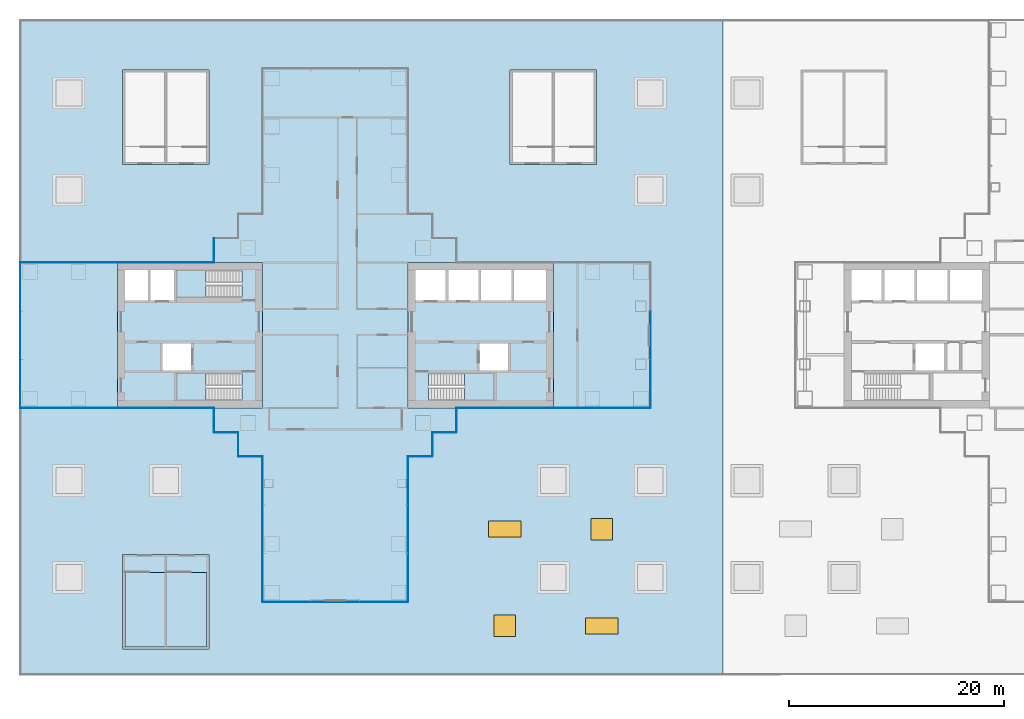
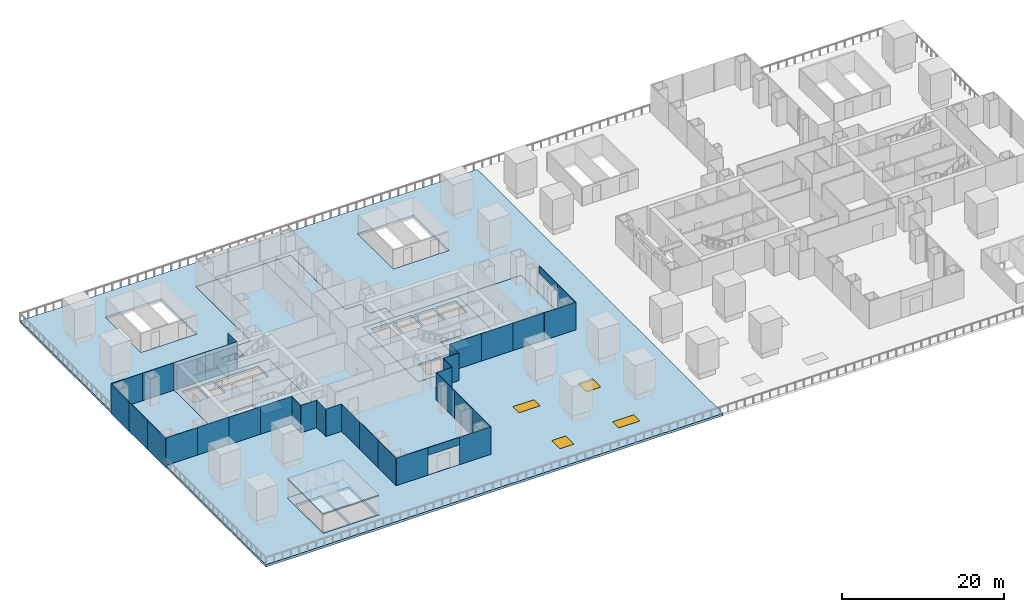
# One storey, part 11 of 23: 35 plates, 11 slabs, 4 windows, 4 openings, 17 elements without a shape of their own.
"""IFC4 building model written with IfcOpenShell, lengths in metres."""

from ifc_helpers import new_model, si_unit, direction, frame, origin, origin_2d, place, context, subcontext, project, spatial, polyline, rectangle, outline, extrude, material, layer, layer_set, type_object, element, fill, aggregate, save


model = new_model("IFC4")

# Units and contexts
model_context = context("Model", 3, precision=1e-05, world=origin(), true_north=direction((0.0, 1.0)))
body_context = subcontext(model_context, "Body", "Model", "MODEL_VIEW")
ifc_project = project(units=[si_unit("LENGTHUNIT", "METRE"), si_unit("AREAUNIT", "SQUARE_METRE"), si_unit("VOLUMEUNIT", "CUBIC_METRE"), si_unit("PLANEANGLEUNIT", "RADIAN"), si_unit("MASSUNIT", "GRAM", prefix="KILO")], contexts=[model_context])

# Site, building, storey
site_placement = place(None, origin())
site = spatial("IfcSite", under=ifc_project, at=site_placement, CompositionType="ELEMENT")
building_placement = place(site_placement, origin())
building = spatial("IfcBuilding", under=site, at=building_placement, Name="Shamsa Quay Exchange Towers", CompositionType="ELEMENT")
storey_placement = place(building_placement, frame((0.0, 0.0, 28.5)))
storey = spatial("IfcBuildingStorey", under=building, at=storey_placement, Name="L05", CompositionType="ELEMENT", Elevation=28.5)

# Slabs
ifc_material_1 = material(Name="Concrete C50/60", Category="concrete")
ifc_layer_1 = layer(ifc_material_1, 0.35009765625)
ifc_layer_set_1 = layer_set([ifc_layer_1], Name="CORE FLOOR 350 C50/60")
slab_type_1 = type_object("IfcSlabType", Name="CORE FLOOR 350 C50/60", PredefinedType="FLOOR", material=ifc_layer_set_1)
slab_1_placement = place(storey_placement, frame((0.0, 0.0, -0.35009765625)))
element("IfcSlab", 1, at=slab_1_placement, inside=storey, type_object=slab_type_1, Name="Core floor T1A", PredefinedType="FLOOR", context=body_context, shape_type="SweptSolid", body=[
    extrude(outline(polyline([(-27.0, -6.75), (-13.5, -6.75), (-13.5, 6.75), (-27.0, 6.75), (-27.0, -6.75)]), holes=[polyline([(-25.099365234375, -6.050048828125), (-25.099365234375, -3.5), (-19.0, -3.5), (-19.0, -6.050048828125), (-25.099365234375, -6.050048828125)]), polyline([(-26.300048828125, 3.25), (-26.300048828125, 6.050048828125), (-23.5, 6.050048828125), (-23.5, 3.25), (-26.300048828125, 3.25)]), polyline([(-23.25, 3.25), (-23.25, 6.050048828125), (-20.449951171875, 6.050048828125), (-20.449951171875, 3.25), (-23.25, 3.25)]), polyline([(-20.199951171875, 3.25), (-20.199951171875, 6.050048828125), (-17.39990234375, 6.050048828125), (-17.39990234375, 3.25), (-20.199951171875, 3.25)]), polyline([(-17.14990234375, 3.25), (-17.14990234375, 6.050048828125), (-14.199951171875, 6.050048828125), (-14.199951171875, 3.25), (-17.14990234375, 3.25)]), polyline([(-20.35009765625, -3.25), (-20.35009765625, -0.75), (-17.699951171875, -0.75), (-17.699951171875, -3.25), (-20.35009765625, -3.25)])]), origin(), (0.0, 0.0, 1.0), 0.35009765625),
])
slab_2_placement = place(storey_placement, frame((0.0, 0.0, -0.35009765625)))
element("IfcSlab", 2, at=slab_2_placement, inside=storey, type_object=slab_type_1, Name="Core floor T1B", PredefinedType="FLOOR", context=body_context, shape_type="SweptSolid", body=[
    extrude(outline(polyline([(-40.5, -6.75), (-40.5, 6.75), (-54.0, 6.75), (-54.0, -6.75), (-40.5, -6.75)]), holes=[polyline([(-42.400634765625, -3.5), (-42.400634765625, -6.050048828125), (-48.5, -6.050048828125), (-48.5, -3.5), (-42.400634765625, -3.5)]), polyline([(-42.400634765625, 6.050048828125), (-42.400634765625, 3.5), (-48.5, 3.5), (-48.5, 6.050048828125), (-42.400634765625, 6.050048828125)]), polyline([(-48.75, 3.25), (-50.89990234375, 3.25), (-50.89990234375, 6.050048828125), (-48.75, 6.050048828125), (-48.75, 3.25)]), polyline([(-51.14990234375, 3.25), (-53.300048828125, 3.25), (-53.300048828125, 6.050048828125), (-51.14990234375, 6.050048828125), (-51.14990234375, 3.25)]), polyline([(-47.14990234375, -3.25), (-49.800048828125, -3.25), (-49.800048828125, -0.75), (-47.14990234375, -0.75), (-47.14990234375, -3.25)])]), origin(), (0.0, 0.0, 1.0), 0.35009765625),
])
slab_3_placement = place(storey_placement, frame((0.0, 0.0, -0.35009765625)))
element("IfcSlab", 3, at=slab_3_placement, inside=storey, type_object=slab_type_1, Name="Stair floor PS5", PredefinedType="FLOOR", context=body_context, shape_type="SweptSolid", body=[
    extrude(outline(polyline([(-53.5, -29.14990234375), (-45.5, -29.14990234375), (-45.5, -20.35009765625), (-53.5, -20.35009765625), (-53.5, -29.14990234375)]), holes=[polyline([(-53.300048828125, -22.05078125), (-49.574951171875, -22.05078125), (-49.574951171875, -28.949951171875), (-53.300048828125, -28.949951171875), (-53.300048828125, -22.05078125)]), polyline([(-49.425048828125, -22.05078125), (-45.699951171875, -22.05078125), (-45.699951171875, -28.949951171875), (-49.425048828125, -28.949951171875), (-49.425048828125, -22.05078125)])]), origin(), (0.0, 0.0, 1.0), 0.35009765625),
])

# Stair, slab
ifc_material_2 = material(Name="Concrete C40/50", Category="concrete")
stair_type = type_object("IfcStairType", Name="EXIT STAIR 26 RISERS 173 MM", PredefinedType="HALF_TURN_STAIR", material=ifc_material_2)
stair_1_placement = place(storey_placement, origin())
stair_1 = element("IfcStair", 4, at=stair_1_placement, inside=storey, type_object=stair_type, Name="L05 Exit stair ST1", PredefinedType="HALF_TURN_STAIR")
ifc_layer_2 = layer(ifc_material_2, 0.199951171875)
ifc_layer_set_2 = layer_set([ifc_layer_2], Name="CORE STAIR LANDING")
slab_type_2 = type_object("IfcSlabType", Name="CORE STAIR LANDING", PredefinedType="LANDING", material=ifc_layer_set_2)
slab_4_placement = place(storey_placement, frame((0.0, 0.0, 2.050048828125)))
slab_4 = element("IfcSlab", 5, at=slab_4_placement, type_object=slab_type_2, Name="ST1 landing 1", PredefinedType="LANDING", context=body_context, shape_type="SweptSolid", body=[
    extrude(outline(polyline([(-21.739990234375, -6.050048828125), (-19.0, -6.050048828125), (-19.0, -3.5), (-21.739990234375, -3.5), (-21.739990234375, -6.050048828125)])), origin(), (0.0, 0.0, 1.0), 0.199951171875),
])
aggregate(stair_1, [slab_4])

stair_2_placement = place(storey_placement, origin())
stair_2 = element("IfcStair", 6, at=stair_2_placement, inside=storey, type_object=stair_type, Name="L05 Exit stair ST2", PredefinedType="HALF_TURN_STAIR")
slab_5_placement = place(storey_placement, frame((0.0, 0.0, 2.050048828125)))
slab_5 = element("IfcSlab", 7, at=slab_5_placement, type_object=slab_type_2, Name="ST2 landing 1", PredefinedType="LANDING", context=body_context, shape_type="SweptSolid", body=[
    extrude(outline(polyline([(-45.760009765625, -3.5), (-48.5, -3.5), (-48.5, -6.050048828125), (-45.760009765625, -6.050048828125), (-45.760009765625, -3.5)])), origin(), (0.0, 0.0, 1.0), 0.199951171875),
])
aggregate(stair_2, [slab_5])

stair_3_placement = place(storey_placement, origin())
stair_3 = element("IfcStair", 8, at=stair_3_placement, inside=storey, type_object=stair_type, Name="L05 Exit stair ST3", PredefinedType="HALF_TURN_STAIR")
slab_6_placement = place(storey_placement, frame((0.0, 0.0, 2.050048828125)))
slab_6 = element("IfcSlab", 9, at=slab_6_placement, type_object=slab_type_2, Name="ST3 landing 1", PredefinedType="LANDING", context=body_context, shape_type="SweptSolid", body=[
    extrude(outline(polyline([(-45.760009765625, 6.050048828125), (-48.5, 6.050048828125), (-48.5, 3.5), (-45.760009765625, 3.5), (-45.760009765625, 6.050048828125)])), origin(), (0.0, 0.0, 1.0), 0.199951171875),
])
aggregate(stair_3, [slab_6])

# Curtain wall, plates
ifc_material_3 = material(Name="Aluminium EN AW-6063 T6, black anodised", Category="aluminium")
ifc_layer_3 = layer(ifc_material_3, 0.280029296875)
ifc_layer_set_3 = layer_set([ifc_layer_3], Name="CW-1 UNITISED VISION GLASS")
curtain_wall_type_1 = type_object("IfcCurtainWallType", Name="CW-1 UNITISED VISION GLASS", PredefinedType="NOTDEFINED", material=ifc_layer_set_3)
curtain_wall_1_placement = place(storey_placement, origin())
curtain_wall_1 = element("IfcCurtainWall", 10, at=curtain_wall_1_placement, inside=storey, type_object=curtain_wall_type_1, Name="CW1 T1-FLK-V-W L05", PredefinedType="NOTDEFINED")
ifc_material_4 = material(Name="Glass, laminated, dark tinted", Category="glass")
ifc_layer_4 = layer(ifc_material_4, 0.0400390625)
ifc_layer_set_4 = layer_set([ifc_layer_4], Name="CW-1 VISION GLASS 40")
plate_type_1 = type_object("IfcPlateType", Name="CW-1 VISION GLASS 40", PredefinedType="CURTAIN_PANEL", material=ifc_layer_set_4)
plate_1_placement = place(storey_placement, frame((-40.52001953125, -13.529052734375, -0.35009765625), z_axis=(0.0, 0.0, 1.0), x_axis=(0.0, -1.0, 0.0)))
plate_1 = element("IfcPlate", 11, at=plate_1_placement, type_object=plate_type_1, Name="CW1 glass panel", PredefinedType="CURTAIN_PANEL", context=body_context, shape_type="SweptSolid", body=[
    extrude(rectangle(XDim=4.482421875, YDim=0.0400390625, at=origin_2d()), origin(), (0.0, 0.0, 1.0), 4.5),
])
plate_2_placement = place(storey_placement, frame((-40.52001953125, -18.01904296875, -0.35009765625), z_axis=(0.0, 0.0, 1.0), x_axis=(0.0, -1.0, 0.0)))
plate_2 = element("IfcPlate", 12, at=plate_2_placement, type_object=plate_type_1, Name="CW1 glass panel", PredefinedType="CURTAIN_PANEL", context=body_context, shape_type="SweptSolid", body=[
    extrude(rectangle(XDim=4.477294921875, YDim=0.0400390625, at=origin_2d()), origin(), (0.0, 0.0, 1.0), 4.5),
])
plate_3_placement = place(storey_placement, frame((-40.52001953125, -22.5087890625, -0.35009765625), z_axis=(0.0, 0.0, 1.0), x_axis=(0.0, -1.0, 0.0)))
plate_3 = element("IfcPlate", 13, at=plate_3_placement, type_object=plate_type_1, Name="CW1 glass panel", PredefinedType="CURTAIN_PANEL", context=body_context, shape_type="SweptSolid", body=[
    extrude(rectangle(XDim=4.482421875, YDim=0.0400390625, at=origin_2d()), origin(), (0.0, 0.0, 1.0), 4.5),
])
aggregate(curtain_wall_1, [plate_1, plate_2, plate_3])

curtain_wall_2_placement = place(storey_placement, origin())
curtain_wall_2 = element("IfcCurtainWall", 14, at=curtain_wall_2_placement, inside=storey, type_object=curtain_wall_type_1, Name="CW1 T1-END-V- L05", PredefinedType="NOTDEFINED")
plate_4_placement = place(storey_placement, frame((-38.25244140625, -24.77001953125, -0.35009765625)))
plate_4 = element("IfcPlate", 15, at=plate_4_placement, type_object=plate_type_1, Name="CW1 glass panel", PredefinedType="CURTAIN_PANEL", context=body_context, shape_type="SweptSolid", body=[
    extrude(rectangle(XDim=4.4951171875, YDim=0.0400390625, at=origin_2d()), origin(), (0.0, 0.0, 1.0), 4.5),
])
plate_5_placement = place(storey_placement, frame((-33.75, -24.77001953125, 3.0)))
plate_5 = element("IfcPlate", 16, at=plate_5_placement, type_object=plate_type_1, Name="CW1 glass panel", PredefinedType="CURTAIN_PANEL", context=body_context, shape_type="SweptSolid", body=[
    extrude(rectangle(XDim=4.489990234375, YDim=0.0400390625, at=origin_2d()), origin(), (0.0, 0.0, 1.0), 1.14990234375),
])
plate_6_placement = place(storey_placement, frame((-29.24755859375, -24.77001953125, -0.35009765625)))
plate_6 = element("IfcPlate", 17, at=plate_6_placement, type_object=plate_type_1, Name="CW1 glass panel", PredefinedType="CURTAIN_PANEL", context=body_context, shape_type="SweptSolid", body=[
    extrude(rectangle(XDim=4.4951171875, YDim=0.0400390625, at=origin_2d()), origin(), (0.0, 0.0, 1.0), 4.5),
])
aggregate(curtain_wall_2, [plate_4, plate_5, plate_6])

curtain_wall_3_placement = place(storey_placement, origin())
curtain_wall_3 = element("IfcCurtainWall", 18, at=curtain_wall_3_placement, inside=storey, type_object=curtain_wall_type_1, Name="CW1 T1-FLK-V-E L05", PredefinedType="NOTDEFINED")
plate_7_placement = place(storey_placement, frame((-26.97998046875, -22.50244140625, -0.35009765625), z_axis=(0.0, 0.0, 1.0), x_axis=(0.0, 1.0, 0.0)))
plate_7 = element("IfcPlate", 19, at=plate_7_placement, type_object=plate_type_1, Name="CW1 glass panel", PredefinedType="CURTAIN_PANEL", context=body_context, shape_type="SweptSolid", body=[
    extrude(rectangle(XDim=4.4951171875, YDim=0.0400390625, at=origin_2d()), origin(), (0.0, 0.0, 1.0), 4.5),
])
plate_8_placement = place(storey_placement, frame((-26.97998046875, -18.0, -0.35009765625), z_axis=(0.0, 0.0, 1.0), x_axis=(0.0, 1.0, 0.0)))
plate_8 = element("IfcPlate", 20, at=plate_8_placement, type_object=plate_type_1, Name="CW1 glass panel", PredefinedType="CURTAIN_PANEL", context=body_context, shape_type="SweptSolid", body=[
    extrude(rectangle(XDim=4.489990234375, YDim=0.0400390625, at=origin_2d()), origin(), (0.0, 0.0, 1.0), 4.5),
])
plate_9_placement = place(storey_placement, frame((-26.97998046875, -13.49755859375, -0.35009765625), z_axis=(0.0, 0.0, 1.0), x_axis=(0.0, 1.0, 0.0)))
plate_9 = element("IfcPlate", 21, at=plate_9_placement, type_object=plate_type_1, Name="CW1 glass panel", PredefinedType="CURTAIN_PANEL", context=body_context, shape_type="SweptSolid", body=[
    extrude(rectangle(XDim=4.4951171875, YDim=0.0400390625, at=origin_2d()), origin(), (0.0, 0.0, 1.0), 4.5),
])
aggregate(curtain_wall_3, [plate_7, plate_8, plate_9])

curtain_wall_4_placement = place(storey_placement, origin())
curtain_wall_4 = element("IfcCurtainWall", 22, at=curtain_wall_4_placement, inside=storey, type_object=curtain_wall_type_1, Name="CW1 T1-FLK-U+S L05", PredefinedType="NOTDEFINED")
plate_10_placement = place(storey_placement, frame((-11.25244140625, -6.77001953125, -0.35009765625)))
plate_10 = element("IfcPlate", 23, at=plate_10_placement, type_object=plate_type_1, Name="CW1 glass panel", PredefinedType="CURTAIN_PANEL", context=body_context, shape_type="SweptSolid", body=[
    extrude(rectangle(XDim=4.4951171875, YDim=0.0400390625, at=origin_2d()), origin(), (0.0, 0.0, 1.0), 4.5),
])
plate_11_placement = place(storey_placement, frame((-6.74755859375, -6.77001953125, -0.35009765625)))
plate_11 = element("IfcPlate", 24, at=plate_11_placement, type_object=plate_type_1, Name="CW1 glass panel", PredefinedType="CURTAIN_PANEL", context=body_context, shape_type="SweptSolid", body=[
    extrude(rectangle(XDim=4.4951171875, YDim=0.0400390625, at=origin_2d()), origin(), (0.0, 0.0, 1.0), 4.5),
])
aggregate(curtain_wall_4, [plate_10, plate_11])

curtain_wall_5_placement = place(storey_placement, origin())
curtain_wall_5 = element("IfcCurtainWall", 25, at=curtain_wall_5_placement, inside=storey, type_object=curtain_wall_type_1, Name="CW1 T1-END-U+ L05", PredefinedType="NOTDEFINED")
plate_12_placement = place(storey_placement, frame((-4.47998046875, -4.50244140625, -0.35009765625), z_axis=(0.0, 0.0, 1.0), x_axis=(0.0, 1.0, 0.0)))
plate_12 = element("IfcPlate", 26, at=plate_12_placement, type_object=plate_type_1, Name="CW1 glass panel", PredefinedType="CURTAIN_PANEL", context=body_context, shape_type="SweptSolid", body=[
    extrude(rectangle(XDim=4.4951171875, YDim=0.0400390625, at=origin_2d()), origin(), (0.0, 0.0, 1.0), 4.5),
])
plate_13_placement = place(storey_placement, frame((-4.47998046875, 0.0, 3.0), z_axis=(0.0, 0.0, 1.0), x_axis=(0.0, 1.0, 0.0)))
plate_13 = element("IfcPlate", 27, at=plate_13_placement, type_object=plate_type_1, Name="CW1 glass panel", PredefinedType="CURTAIN_PANEL", context=body_context, shape_type="SweptSolid", body=[
    extrude(rectangle(XDim=4.489990234375, YDim=0.0400390625, at=origin_2d()), origin(), (0.0, 0.0, 1.0), 1.14990234375),
])
aggregate(curtain_wall_5, [plate_12, plate_13])

curtain_wall_6_placement = place(storey_placement, origin())
curtain_wall_6 = element("IfcCurtainWall", 28, at=curtain_wall_6_placement, inside=storey, type_object=curtain_wall_type_1, Name="CW1 T1-FLK-U-N L05", PredefinedType="NOTDEFINED")
plate_14_placement = place(storey_placement, frame((-56.24755859375, 6.77001953125, -0.35009765625), z_axis=(0.0, 0.0, 1.0), x_axis=(-1.0, 0.0, 0.0)))
plate_14 = element("IfcPlate", 29, at=plate_14_placement, type_object=plate_type_1, Name="CW1 glass panel", PredefinedType="CURTAIN_PANEL", context=body_context, shape_type="SweptSolid", body=[
    extrude(rectangle(XDim=4.4951171875, YDim=0.0400390625, at=origin_2d()), origin(), (0.0, 0.0, 1.0), 4.5),
])
plate_15_placement = place(storey_placement, frame((-60.75244140625, 6.77001953125, -0.35009765625), z_axis=(0.0, 0.0, 1.0), x_axis=(-1.0, 0.0, 0.0)))
plate_15 = element("IfcPlate", 30, at=plate_15_placement, type_object=plate_type_1, Name="CW1 glass panel", PredefinedType="CURTAIN_PANEL", context=body_context, shape_type="SweptSolid", body=[
    extrude(rectangle(XDim=4.4951171875, YDim=0.0400390625, at=origin_2d()), origin(), (0.0, 0.0, 1.0), 4.5),
])
aggregate(curtain_wall_6, [plate_14, plate_15])

curtain_wall_7_placement = place(storey_placement, origin())
curtain_wall_7 = element("IfcCurtainWall", 31, at=curtain_wall_7_placement, inside=storey, type_object=curtain_wall_type_1, Name="CW1 T1-END-U- L05", PredefinedType="NOTDEFINED")
plate_16_placement = place(storey_placement, frame((-63.02001953125, 4.50244140625, -0.35009765625), z_axis=(0.0, 0.0, 1.0), x_axis=(0.0, -1.0, 0.0)))
plate_16 = element("IfcPlate", 32, at=plate_16_placement, type_object=plate_type_1, Name="CW1 glass panel", PredefinedType="CURTAIN_PANEL", context=body_context, shape_type="SweptSolid", body=[
    extrude(rectangle(XDim=4.4951171875, YDim=0.0400390625, at=origin_2d()), origin(), (0.0, 0.0, 1.0), 4.5),
])
plate_17_placement = place(storey_placement, frame((-63.02001953125, 0.0, -0.35009765625), z_axis=(0.0, 0.0, 1.0), x_axis=(0.0, -1.0, 0.0)))
plate_17 = element("IfcPlate", 33, at=plate_17_placement, type_object=plate_type_1, Name="CW1 glass panel", PredefinedType="CURTAIN_PANEL", context=body_context, shape_type="SweptSolid", body=[
    extrude(rectangle(XDim=4.489990234375, YDim=0.0400390625, at=origin_2d()), origin(), (0.0, 0.0, 1.0), 4.5),
])
plate_18_placement = place(storey_placement, frame((-63.02001953125, -4.50244140625, -0.35009765625), z_axis=(0.0, 0.0, 1.0), x_axis=(0.0, -1.0, 0.0)))
plate_18 = element("IfcPlate", 34, at=plate_18_placement, type_object=plate_type_1, Name="CW1 glass panel", PredefinedType="CURTAIN_PANEL", context=body_context, shape_type="SweptSolid", body=[
    extrude(rectangle(XDim=4.4951171875, YDim=0.0400390625, at=origin_2d()), origin(), (0.0, 0.0, 1.0), 4.5),
])
aggregate(curtain_wall_7, [plate_16, plate_17, plate_18])

curtain_wall_8_placement = place(storey_placement, origin())
curtain_wall_8 = element("IfcCurtainWall", 35, at=curtain_wall_8_placement, inside=storey, type_object=curtain_wall_type_1, Name="CW1 T1-FLK-U-S L05", PredefinedType="NOTDEFINED")
plate_19_placement = place(storey_placement, frame((-60.75244140625, -6.77001953125, -0.35009765625)))
plate_19 = element("IfcPlate", 36, at=plate_19_placement, type_object=plate_type_1, Name="CW1 glass panel", PredefinedType="CURTAIN_PANEL", context=body_context, shape_type="SweptSolid", body=[
    extrude(rectangle(XDim=4.4951171875, YDim=0.0400390625, at=origin_2d()), origin(), (0.0, 0.0, 1.0), 4.5),
])
plate_20_placement = place(storey_placement, frame((-56.24755859375, -6.77001953125, -0.35009765625)))
plate_20 = element("IfcPlate", 37, at=plate_20_placement, type_object=plate_type_1, Name="CW1 glass panel", PredefinedType="CURTAIN_PANEL", context=body_context, shape_type="SweptSolid", body=[
    extrude(rectangle(XDim=4.4951171875, YDim=0.0400390625, at=origin_2d()), origin(), (0.0, 0.0, 1.0), 4.5),
])
aggregate(curtain_wall_8, [plate_19, plate_20])

ifc_layer_5 = layer(ifc_material_3, 0.303955078125)
ifc_layer_set_5 = layer_set([ifc_layer_5], Name="CW-2 UNITISED OPAQUE SPANDREL GLASS")
curtain_wall_type_2 = type_object("IfcCurtainWallType", Name="CW-2 UNITISED OPAQUE SPANDREL GLASS", PredefinedType="NOTDEFINED", material=ifc_layer_set_5)
curtain_wall_9_placement = place(storey_placement, origin())
curtain_wall_9 = element("IfcCurtainWall", 38, at=curtain_wall_9_placement, inside=storey, type_object=curtain_wall_type_2, Name="CW2 T1-FLK-U+S L05", PredefinedType="NOTDEFINED")
ifc_material_5 = material(Name="Glass, laminated, black enamelled opaque", Category="glass")
ifc_layer_6 = layer(ifc_material_5, 0.0439453125)
ifc_layer_set_6 = layer_set([ifc_layer_6], Name="CW-2 SPANDREL GLASS 44")
plate_type_2 = type_object("IfcPlateType", Name="CW-2 SPANDREL GLASS 44", PredefinedType="CURTAIN_PANEL", material=ifc_layer_set_6)
plate_21_placement = place(storey_placement, frame((-20.22412109375, -6.77197265625, -0.35009765625)))
plate_21 = element("IfcPlate", 39, at=plate_21_placement, type_object=plate_type_2, Name="CW2 glass panel", PredefinedType="CURTAIN_PANEL", context=body_context, shape_type="SweptSolid", body=[
    extrude(rectangle(XDim=4.47607421875, YDim=0.0439453125, at=origin_2d()), origin(), (0.0, 0.0, 1.0), 4.5),
])
plate_22_placement = place(storey_placement, frame((-15.738037109375, -6.77197265625, -0.35009765625)))
plate_22 = element("IfcPlate", 40, at=plate_22_placement, type_object=plate_type_2, Name="CW2 glass panel", PredefinedType="CURTAIN_PANEL", context=body_context, shape_type="SweptSolid", body=[
    extrude(rectangle(XDim=4.47607421875, YDim=0.0439453125, at=origin_2d()), origin(), (0.0, 0.0, 1.0), 4.5),
])
aggregate(curtain_wall_9, [plate_21, plate_22])

curtain_wall_10_placement = place(storey_placement, origin())
curtain_wall_10 = element("IfcCurtainWall", 41, at=curtain_wall_10_placement, inside=storey, type_object=curtain_wall_type_2, Name="CW2 T1-FLK-U-N L05", PredefinedType="NOTDEFINED")
plate_23_placement = place(storey_placement, frame((-47.27587890625, 6.77197265625, -0.35009765625), z_axis=(0.0, 0.0, 1.0), x_axis=(-1.0, 0.0, 0.0)))
plate_23 = element("IfcPlate", 42, at=plate_23_placement, type_object=plate_type_2, Name="CW2 glass panel", PredefinedType="CURTAIN_PANEL", context=body_context, shape_type="SweptSolid", body=[
    extrude(rectangle(XDim=4.47607421875, YDim=0.0439453125, at=origin_2d()), origin(), (0.0, 0.0, 1.0), 4.5),
])
plate_24_placement = place(storey_placement, frame((-51.761962890625, 6.77197265625, -0.35009765625), z_axis=(0.0, 0.0, 1.0), x_axis=(-1.0, 0.0, 0.0)))
plate_24 = element("IfcPlate", 43, at=plate_24_placement, type_object=plate_type_2, Name="CW2 glass panel", PredefinedType="CURTAIN_PANEL", context=body_context, shape_type="SweptSolid", body=[
    extrude(rectangle(XDim=4.47607421875, YDim=0.0439453125, at=origin_2d()), origin(), (0.0, 0.0, 1.0), 4.5),
])
aggregate(curtain_wall_10, [plate_23, plate_24])

curtain_wall_11_placement = place(storey_placement, origin())
curtain_wall_11 = element("IfcCurtainWall", 44, at=curtain_wall_11_placement, inside=storey, type_object=curtain_wall_type_2, Name="CW2 T1-FLK-U-S L05", PredefinedType="NOTDEFINED")
plate_25_placement = place(storey_placement, frame((-51.75244140625, -6.77197265625, -0.35009765625)))
plate_25 = element("IfcPlate", 45, at=plate_25_placement, type_object=plate_type_2, Name="CW2 glass panel", PredefinedType="CURTAIN_PANEL", context=body_context, shape_type="SweptSolid", body=[
    extrude(rectangle(XDim=4.4951171875, YDim=0.0439453125, at=origin_2d()), origin(), (0.0, 0.0, 1.0), 4.5),
])
plate_26_placement = place(storey_placement, frame((-47.24755859375, -6.77197265625, -0.35009765625)))
plate_26 = element("IfcPlate", 46, at=plate_26_placement, type_object=plate_type_2, Name="CW2 glass panel", PredefinedType="CURTAIN_PANEL", context=body_context, shape_type="SweptSolid", body=[
    extrude(rectangle(XDim=4.4951171875, YDim=0.0439453125, at=origin_2d()), origin(), (0.0, 0.0, 1.0), 4.5),
])
aggregate(curtain_wall_11, [plate_25, plate_26])

ifc_layer_7 = layer(ifc_material_3, 0.256103515625)
ifc_layer_set_7 = layer_set([ifc_layer_7], Name="CW-4 POCKET SERRATED GLAZING")
curtain_wall_type_3 = type_object("IfcCurtainWallType", Name="CW-4 POCKET SERRATED GLAZING", PredefinedType="NOTDEFINED", material=ifc_layer_set_7)
curtain_wall_12_placement = place(storey_placement, origin())
curtain_wall_12 = element("IfcCurtainWall", 47, at=curtain_wall_12_placement, inside=storey, type_object=curtain_wall_type_3, Name="CW4 PKWS L05", PredefinedType="NOTDEFINED")
ifc_layer_8 = layer(ifc_material_4, 0.035888671875)
ifc_layer_set_8 = layer_set([ifc_layer_8], Name="CW-4 POCKET GLASS 36")
plate_type_3 = type_object("IfcPlateType", Name="CW-4 POCKET GLASS 36", PredefinedType="CURTAIN_PANEL", material=ifc_layer_set_8)
plate_27_placement = place(storey_placement, frame((-42.76806640625, -10.14404296875, -0.35009765625), z_axis=(0.0, 0.0, 1.0), x_axis=(0.0, -1.0, 0.0)))
plate_27 = element("IfcPlate", 48, at=plate_27_placement, type_object=plate_type_3, Name="CW4 glass panel", PredefinedType="CURTAIN_PANEL", context=body_context, shape_type="SweptSolid", body=[
    extrude(rectangle(XDim=2.2119140625, YDim=0.035888671875, at=origin_2d()), origin(), (0.0, 0.0, 1.0), 4.5),
])
plate_28_placement = place(storey_placement, frame((-41.625, -11.26806640625, -0.35009765625)))
plate_28 = element("IfcPlate", 49, at=plate_28_placement, type_object=plate_type_3, Name="CW4 glass panel", PredefinedType="CURTAIN_PANEL", context=body_context, shape_type="SweptSolid", body=[
    extrude(rectangle(XDim=2.25, YDim=0.035888671875, at=origin_2d()), origin(), (0.0, 0.0, 1.0), 4.5),
])
plate_29_placement = place(storey_placement, frame((-45.01806640625, -7.89794921875, -0.35009765625), z_axis=(0.0, 0.0, 1.0), x_axis=(0.0, -1.0, 0.0)))
plate_29 = element("IfcPlate", 50, at=plate_29_placement, type_object=plate_type_3, Name="CW4 glass panel", PredefinedType="CURTAIN_PANEL", context=body_context, shape_type="SweptSolid", body=[
    extrude(rectangle(XDim=2.2041015625, YDim=0.035888671875, at=origin_2d()), origin(), (0.0, 0.0, 1.0), 4.5),
])
plate_30_placement = place(storey_placement, frame((-43.875, -9.01806640625, -0.35009765625)))
plate_30 = element("IfcPlate", 51, at=plate_30_placement, type_object=plate_type_3, Name="CW4 glass panel", PredefinedType="CURTAIN_PANEL", context=body_context, shape_type="SweptSolid", body=[
    extrude(rectangle(XDim=2.25, YDim=0.035888671875, at=origin_2d()), origin(), (0.0, 0.0, 1.0), 4.5),
])
aggregate(curtain_wall_12, [plate_27, plate_28, plate_29, plate_30])

curtain_wall_13_placement = place(storey_placement, origin())
curtain_wall_13 = element("IfcCurtainWall", 52, at=curtain_wall_13_placement, inside=storey, type_object=curtain_wall_type_3, Name="CW4 PKES L05", PredefinedType="NOTDEFINED")
plate_31_placement = place(storey_placement, frame((-25.85400390625, -11.26806640625, -0.35009765625)))
plate_31 = element("IfcPlate", 53, at=plate_31_placement, type_object=plate_type_3, Name="CW4 glass panel", PredefinedType="CURTAIN_PANEL", context=body_context, shape_type="SweptSolid", body=[
    extrude(rectangle(XDim=2.2080078125, YDim=0.035888671875, at=origin_2d()), origin(), (0.0, 0.0, 1.0), 4.5),
])
plate_32_placement = place(storey_placement, frame((-24.73193359375, -10.125, -0.35009765625), z_axis=(0.0, 0.0, 1.0), x_axis=(0.0, 1.0, 0.0)))
plate_32 = element("IfcPlate", 54, at=plate_32_placement, type_object=plate_type_3, Name="CW4 glass panel", PredefinedType="CURTAIN_PANEL", context=body_context, shape_type="SweptSolid", body=[
    extrude(rectangle(XDim=2.25, YDim=0.035888671875, at=origin_2d()), origin(), (0.0, 0.0, 1.0), 4.5),
])
plate_33_placement = place(storey_placement, frame((-23.60595703125, -9.01806640625, -0.35009765625)))
plate_33 = element("IfcPlate", 55, at=plate_33_placement, type_object=plate_type_3, Name="CW4 glass panel", PredefinedType="CURTAIN_PANEL", context=body_context, shape_type="SweptSolid", body=[
    extrude(rectangle(XDim=2.2119140625, YDim=0.035888671875, at=origin_2d()), origin(), (0.0, 0.0, 1.0), 4.5),
])
plate_34_placement = place(storey_placement, frame((-22.48193359375, -7.875, -0.35009765625), z_axis=(0.0, 0.0, 1.0), x_axis=(0.0, 1.0, 0.0)))
plate_34 = element("IfcPlate", 56, at=plate_34_placement, type_object=plate_type_3, Name="CW4 glass panel", PredefinedType="CURTAIN_PANEL", context=body_context, shape_type="SweptSolid", body=[
    extrude(rectangle(XDim=2.25, YDim=0.035888671875, at=origin_2d()), origin(), (0.0, 0.0, 1.0), 4.5),
])
aggregate(curtain_wall_13, [plate_31, plate_32, plate_33, plate_34])

# Curtain wall, plate
curtain_wall_14_placement = place(storey_placement, origin())
curtain_wall_14 = element("IfcCurtainWall", 57, at=curtain_wall_14_placement, inside=storey, type_object=curtain_wall_type_3, Name="CW4 PKWN L05", PredefinedType="NOTDEFINED")
plate_35_placement = place(storey_placement, frame((-45.01806640625, 7.875, -0.35009765625), z_axis=(0.0, 0.0, 1.0), x_axis=(0.0, -1.0, 0.0)))
plate_35 = element("IfcPlate", 58, at=plate_35_placement, type_object=plate_type_3, Name="CW4 glass panel", PredefinedType="CURTAIN_PANEL", context=body_context, shape_type="SweptSolid", body=[
    extrude(rectangle(XDim=2.25, YDim=0.035888671875, at=origin_2d()), origin(), (0.0, 0.0, 1.0), 4.5),
])
aggregate(curtain_wall_14, [plate_35])

# Slabs
ifc_layer_9 = layer(ifc_material_2, 0.35009765625)
ifc_layer_set_9 = layer_set([ifc_layer_9], Name="Flat slab 350")
slab_type_3 = type_object("IfcSlabType", Name="Flat slab 350", PredefinedType="FLOOR", material=ifc_layer_set_9)
slab_7_placement = place(storey_placement, frame((0.0, 0.0, -0.35009765625)))
element("IfcSlab", 59, at=slab_7_placement, inside=storey, type_object=slab_type_3, Name="Flat slab T1 L05 1", PredefinedType="FLOOR", context=body_context, shape_type="SweptSolid", body=[
    extrude(outline(polyline([(-63.0, -6.75), (-54.0, -6.75), (-54.0, 6.75), (-63.0, 6.75), (-63.0, -6.75)])), origin(), (0.0, 0.0, 1.0), 0.35009765625),
])
slab_8_placement = place(storey_placement, frame((0.0, 0.0, -0.35009765625)))
element("IfcSlab", 60, at=slab_8_placement, inside=storey, type_object=slab_type_3, Name="Flat slab T1 L05 2", PredefinedType="FLOOR", context=body_context, shape_type="SweptSolid", body=[
    extrude(outline(polyline([(-22.5, -9.0), (-22.5, -6.75), (-27.0, -6.75), (-27.0, 6.75), (-22.5, 6.75), (-22.5, 9.0), (-24.75, 9.0), (-24.75, 11.25), (-27.0, 11.25), (-27.0, 24.75), (-40.5, 24.75), (-40.5, 11.25), (-42.75, 11.25), (-42.75, 9.0), (-45.0, 9.0), (-45.0, 6.75), (-40.5, 6.75), (-40.5, -6.75), (-45.0, -6.75), (-45.0, -9.0), (-42.75, -9.0), (-42.75, -11.25), (-40.5, -11.25), (-40.5, -24.75), (-27.0, -24.75), (-27.0, -11.25), (-24.75, -11.25), (-24.75, -9.0), (-22.5, -9.0)])), origin(), (0.0, 0.0, 1.0), 0.35009765625),
])
slab_9_placement = place(storey_placement, frame((0.0, 0.0, -0.35009765625)))
element("IfcSlab", 61, at=slab_9_placement, inside=storey, type_object=slab_type_3, Name="Flat slab T1 L05 3", PredefinedType="FLOOR", context=body_context, shape_type="SweptSolid", body=[
    extrude(outline(polyline([(-4.5, 6.75), (-13.5, 6.75), (-13.5, -6.75), (-4.5, -6.75), (-4.5, 6.75)])), origin(), (0.0, 0.0, 1.0), 0.35009765625),
])
ifc_layer_10 = layer(ifc_material_2, 0.199951171875)
ifc_layer_set_10 = layer_set([ifc_layer_10], Name="HEAD-HOUSE ROOF 200 C40/50")
slab_type_4 = type_object("IfcSlabType", Name="HEAD-HOUSE ROOF 200 C40/50", PredefinedType="ROOF", material=ifc_layer_set_10)
slab_10_placement = place(storey_placement, frame((0.0, 0.0, 2.800048828125)))
element("IfcSlab", 62, at=slab_10_placement, inside=storey, type_object=slab_type_4, Name="Stair head roof PS5", PredefinedType="ROOF", context=body_context, shape_type="SweptSolid", body=[
    extrude(outline(polyline([(-53.5, -29.14990234375), (-45.5, -29.14990234375), (-45.5, -20.35009765625), (-53.5, -20.35009765625), (-53.5, -29.14990234375)])), origin(), (0.0, 0.0, 1.0), 0.199951171875),
])

# Slab, openings, windows
ifc_layer_11 = layer(ifc_material_2, 0.35009765625)
ifc_layer_set_11 = layer_set([ifc_layer_11], Name="Terrace roof slab 350")
slab_type_5 = type_object("IfcSlabType", Name="Terrace roof slab 350", PredefinedType="ROOF", material=ifc_layer_set_11)
slab_11_placement = place(storey_placement, frame((0.0, 0.0, -0.35009765625)))
slab_11 = element("IfcSlab", 63, at=slab_11_placement, inside=storey, type_object=slab_type_5, Name="Roof slab PD over L04 1", PredefinedType="ROOF", context=body_context, shape_type="SweptSolid", body=[
    extrude(outline(polyline([(-63.0, -6.77001953125), (-63.0, -31.5), (2.25, -31.5), (2.25, 29.25), (-63.0, 29.25), (-63.0, 6.77001953125), (-45.02001953125, 6.77001953125), (-45.02001953125, 9.02001953125), (-42.77001953125, 9.02001953125), (-42.77001953125, 11.27001953125), (-40.52001953125, 11.27001953125), (-40.52001953125, 24.77001953125), (-26.97998046875, 24.77001953125), (-26.97998046875, 11.27001953125), (-24.72998046875, 11.27001953125), (-24.72998046875, 9.02001953125), (-22.47998046875, 9.02001953125), (-22.47998046875, 6.77001953125), (-4.47998046875, 6.77001953125), (-4.47998046875, -6.77001953125), (-22.47998046875, -6.77001953125), (-22.47998046875, -9.02001953125), (-24.72998046875, -9.02001953125), (-24.72998046875, -11.27001953125), (-26.97998046875, -11.27001953125), (-26.97998046875, -24.77001953125), (-40.52001953125, -24.77001953125), (-40.52001953125, -11.27001953125), (-42.77001953125, -11.27001953125), (-42.77001953125, -9.02001953125), (-45.02001953125, -9.02001953125), (-45.02001953125, -6.77001953125), (-63.0, -6.77001953125)]), holes=[polyline([(-45.5, -29.14990234375), (-45.5, -20.35009765625), (-53.5, -20.35009765625), (-53.5, -29.14990234375), (-45.5, -29.14990234375)]), polyline([(-53.5, 15.85009765625), (-45.5, 15.85009765625), (-45.5, 24.64990234375), (-53.5, 24.64990234375), (-53.5, 15.85009765625)]), polyline([(-9.5, 15.85009765625), (-9.5, 24.64990234375), (-17.5, 24.64990234375), (-17.5, 15.85009765625), (-9.5, 15.85009765625)])]), origin(), (0.0, 0.0, 1.0), 0.35009765625),
])
opening_1_placement = place(slab_11_placement, frame((-18.0, -27.0, 0.0)))
opening_1 = element("IfcOpeningElement", 64, at=opening_1_placement, cuts=slab_11, Name="Opening SK1", PredefinedType="OPENING", context=body_context, shape_type="SweptSolid", body=[
    extrude(rectangle(XDim=2.0, YDim=2.0, at=origin_2d()), origin(), (0.0, 0.0, 1.0), 0.35009765625),
])
opening_2_placement = place(slab_11_placement, frame((-18.0, -18.0, 0.0)))
opening_2 = element("IfcOpeningElement", 65, at=opening_2_placement, cuts=slab_11, Name="Opening SK2", PredefinedType="OPENING", context=body_context, shape_type="SweptSolid", body=[
    extrude(rectangle(XDim=3.0, YDim=1.5, at=origin_2d()), origin(), (0.0, 0.0, 1.0), 0.35009765625),
])
opening_3_placement = place(slab_11_placement, frame((-9.0, -27.0, 0.0)))
opening_3 = element("IfcOpeningElement", 66, at=opening_3_placement, cuts=slab_11, Name="Opening SK2", PredefinedType="OPENING", context=body_context, shape_type="SweptSolid", body=[
    extrude(rectangle(XDim=3.0, YDim=1.5, at=origin_2d()), origin(), (0.0, 0.0, 1.0), 0.35009765625),
])
opening_4_placement = place(slab_11_placement, frame((-9.0, -18.0, 0.0)))
opening_4 = element("IfcOpeningElement", 67, at=opening_4_placement, cuts=slab_11, Name="Opening SK1", PredefinedType="OPENING", context=body_context, shape_type="SweptSolid", body=[
    extrude(rectangle(XDim=2.0, YDim=2.0, at=origin_2d()), origin(), (0.0, 0.0, 1.0), 0.35009765625),
])
ifc_material_6 = material(Name="Aluminium EN AW-6063 T6, black anodised, with laminated glass", Category="aluminium")
window_type_1 = type_object("IfcWindowType", Name="ROOFLIGHT 2000x2000", PartitioningType="SINGLE_PANEL", PredefinedType="SKYLIGHT", material=ifc_material_6)
window_1_placement = place(opening_1_placement, frame((0.0, 0.0, 0.300048828125)))
window_1 = element("IfcWindow", 68, at=window_1_placement, inside=storey, type_object=window_type_1, Name="Rooflight L04 1", OverallHeight=2.0, OverallWidth=2.0, PartitioningType="SINGLE_PANEL", PredefinedType="SKYLIGHT", context=body_context, shape_type="SweptSolid", body=[
    extrude(rectangle(XDim=2.0, YDim=2.0, at=origin_2d()), origin(), (0.0, 0.0, 1.0), 0.050048828125),
])
fill(opening_1, window_1)
window_2_placement = place(opening_4_placement, frame((0.0, 0.0, 0.300048828125)))
window_2 = element("IfcWindow", 69, at=window_2_placement, inside=storey, type_object=window_type_1, Name="Rooflight L04 4", OverallHeight=2.0, OverallWidth=2.0, PartitioningType="SINGLE_PANEL", PredefinedType="SKYLIGHT", context=body_context, shape_type="SweptSolid", body=[
    extrude(rectangle(XDim=2.0, YDim=2.0, at=origin_2d()), origin(), (0.0, 0.0, 1.0), 0.050048828125),
])
fill(opening_4, window_2)
window_type_2 = type_object("IfcWindowType", Name="ROOFLIGHT 3000x1500", PartitioningType="SINGLE_PANEL", PredefinedType="SKYLIGHT", material=ifc_material_6)
window_3_placement = place(opening_2_placement, frame((0.0, 0.0, 0.300048828125)))
window_3 = element("IfcWindow", 70, at=window_3_placement, inside=storey, type_object=window_type_2, Name="Rooflight L04 2", OverallHeight=1.5, OverallWidth=3.0, PartitioningType="SINGLE_PANEL", PredefinedType="SKYLIGHT", context=body_context, shape_type="SweptSolid", body=[
    extrude(rectangle(XDim=3.0, YDim=1.5, at=origin_2d()), origin(), (0.0, 0.0, 1.0), 0.050048828125),
])
fill(opening_2, window_3)
window_4_placement = place(opening_3_placement, frame((0.0, 0.0, 0.300048828125)))
window_4 = element("IfcWindow", 71, at=window_4_placement, inside=storey, type_object=window_type_2, Name="Rooflight L04 3", OverallHeight=1.5, OverallWidth=3.0, PartitioningType="SINGLE_PANEL", PredefinedType="SKYLIGHT", context=body_context, shape_type="SweptSolid", body=[
    extrude(rectangle(XDim=3.0, YDim=1.5, at=origin_2d()), origin(), (0.0, 0.0, 1.0), 0.050048828125),
])
fill(opening_3, window_4)

save(model, "model.ifc")
